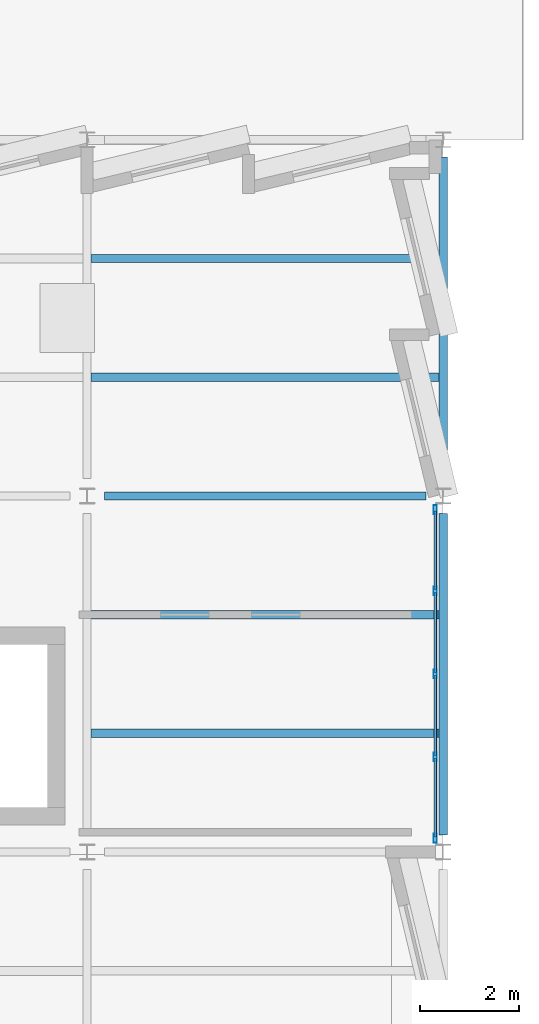
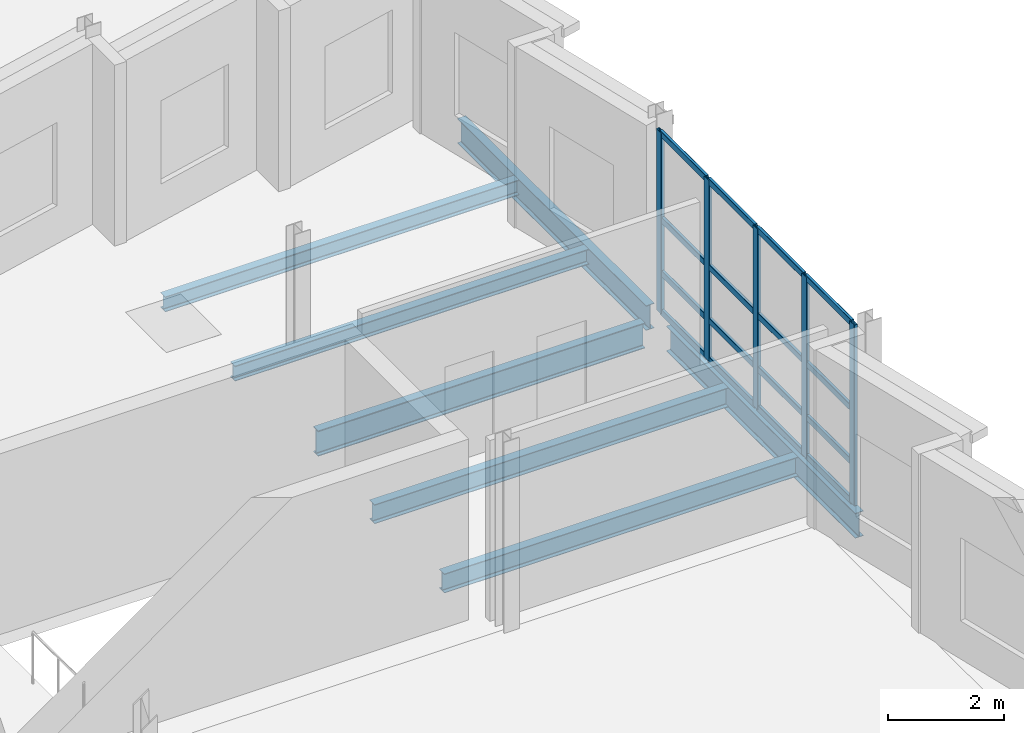
# One storey, part 9 of 18: 21 members, 7 beams, 1 element without a shape of its own.
"""IFC4 building model written with IfcOpenShell, lengths in metres."""

from ifc_helpers import new_model, si_unit, direction, frame, origin, origin_2d, place, context, subcontext, project, spatial, hollow_rectangle, i_section, extrude, material, material_profile, profile_set, type_object, element, aggregate, save


model = new_model("IFC4")

# Units and contexts
model_context = context("Model", 3, precision=1e-05, world=origin(), true_north=direction((0.0, 1.0)))
body_context = subcontext(model_context, "Body", "Model", "MODEL_VIEW")
ifc_project = project(units=[si_unit("LENGTHUNIT", "METRE"), si_unit("AREAUNIT", "SQUARE_METRE"), si_unit("VOLUMEUNIT", "CUBIC_METRE"), si_unit("PLANEANGLEUNIT", "RADIAN"), si_unit("MASSUNIT", "GRAM", prefix="KILO")], contexts=[model_context])

# Site, building, storey
site_placement = place(None, origin())
site = spatial("IfcSite", under=ifc_project, at=site_placement, CompositionType="ELEMENT")
building_placement = place(site_placement, origin())
building = spatial("IfcBuilding", under=site, at=building_placement, Name="Kalmorath City Hall", CompositionType="ELEMENT")
storey_placement = place(building_placement, frame((0.0, 0.0, 27.0)))
storey = spatial("IfcBuildingStorey", under=building, at=storey_placement, Name="L06", CompositionType="ELEMENT", Elevation=27.0)

# Curtain wall, members
ifc_material_1 = material(Name="Anodised aluminium and laminated glass", Category="aluminium")
curtain_wall_type = type_object("IfcCurtainWallType", Name="Unitised hurricane curtain wall 6712x3800 M1600", PredefinedType="NOTDEFINED", material=ifc_material_1)
curtain_wall_placement = place(storey_placement, origin())
curtain_wall = element("IfcCurtainWall", 1, at=curtain_wall_placement, inside=storey, type_object=curtain_wall_type, Name="L06 curtain wall CW-67X38M16 #175", PredefinedType="NOTDEFINED")
ifc_material_2 = material(Name="Anodised aluminium framing", Category="aluminium")
ifc_material_profile_1 = material_profile(ifc_material_2, hollow_rectangle(XDim=0.06494140625, YDim=0.179931640625, WallThickness=0.00390625, InnerFilletRadius=0.00390625, OuterFilletRadius=0.008056640625, at=origin_2d()), Name="ALU-MUL-180X65X4")
ifc_profile_set_1 = profile_set([ifc_material_profile_1], Name="Anodised aluminium framing")
member_type_1 = type_object("IfcMemberType", Name="Curtain-wall courtyard mullion 180x65", PredefinedType="MULLION", material=ifc_profile_set_1)
member_1_placement = place(storey_placement, frame((21.43994140625, 50.676513671875, 0.0), z_axis=(0.0, 0.0, 1.0), x_axis=(-1.0, 0.0, 0.0)))
member_1 = element("IfcMember", 2, at=member_1_placement, type_object=member_type_1, Name="CW-67X38M16 mullion 1", PredefinedType="MULLION", context=body_context, shape_type="SweptSolid", body=[
    extrude(hollow_rectangle(XDim=0.06494140625, YDim=0.179931640625, WallThickness=0.00390625, InnerFilletRadius=0.00390625, OuterFilletRadius=0.008056640625, at=origin_2d()), origin(), (0.0, 0.0, 1.0), 3.800048828125),
])
member_2_placement = place(storey_placement, frame((21.43994140625, 52.322021484375, 0.0), z_axis=(0.0, 0.0, 1.0), x_axis=(-1.0, 0.0, 0.0)))
member_2 = element("IfcMember", 3, at=member_2_placement, type_object=member_type_1, Name="CW-67X38M16 mullion 2", PredefinedType="MULLION", context=body_context, shape_type="SweptSolid", body=[
    extrude(hollow_rectangle(XDim=0.06494140625, YDim=0.179931640625, WallThickness=0.00390625, InnerFilletRadius=0.00390625, OuterFilletRadius=0.008056640625, at=origin_2d()), origin(), (0.0, 0.0, 1.0), 3.800048828125),
])
member_3_placement = place(storey_placement, frame((21.43994140625, 54.0, 0.0), z_axis=(0.0, 0.0, 1.0), x_axis=(-1.0, 0.0, 0.0)))
member_3 = element("IfcMember", 4, at=member_3_placement, type_object=member_type_1, Name="CW-67X38M16 mullion 3", PredefinedType="MULLION", context=body_context, shape_type="SweptSolid", body=[
    extrude(hollow_rectangle(XDim=0.06494140625, YDim=0.179931640625, WallThickness=0.00390625, InnerFilletRadius=0.00390625, OuterFilletRadius=0.008056640625, at=origin_2d()), origin(), (0.0, 0.0, 1.0), 3.800048828125),
])
member_4_placement = place(storey_placement, frame((21.43994140625, 55.677978515625, 0.0), z_axis=(0.0, 0.0, 1.0), x_axis=(-1.0, 0.0, 0.0)))
member_4 = element("IfcMember", 5, at=member_4_placement, type_object=member_type_1, Name="CW-67X38M16 mullion 4", PredefinedType="MULLION", context=body_context, shape_type="SweptSolid", body=[
    extrude(hollow_rectangle(XDim=0.06494140625, YDim=0.179931640625, WallThickness=0.00390625, InnerFilletRadius=0.00390625, OuterFilletRadius=0.008056640625, at=origin_2d()), origin(), (0.0, 0.0, 1.0), 3.800048828125),
])
member_5_placement = place(storey_placement, frame((21.43994140625, 57.323486328125, 0.0), z_axis=(0.0, 0.0, 1.0), x_axis=(-1.0, 0.0, 0.0)))
member_5 = element("IfcMember", 6, at=member_5_placement, type_object=member_type_1, Name="CW-67X38M16 mullion 5", PredefinedType="MULLION", context=body_context, shape_type="SweptSolid", body=[
    extrude(hollow_rectangle(XDim=0.06494140625, YDim=0.179931640625, WallThickness=0.00390625, InnerFilletRadius=0.00390625, OuterFilletRadius=0.008056640625, at=origin_2d()), origin(), (0.0, 0.0, 1.0), 3.800048828125),
])
ifc_material_3 = material(Name="Anodised aluminium framing", Category="aluminium")
ifc_material_profile_2 = material_profile(ifc_material_3, hollow_rectangle(XDim=0.06005859375, YDim=0.1298828125, WallThickness=0.00341796875, InnerFilletRadius=0.00341796875, OuterFilletRadius=0.007080078125, at=origin_2d()), Name="ALU-TRN-130X60X3.5")
ifc_profile_set_2 = profile_set([ifc_material_profile_2], Name="Anodised aluminium framing")
member_type_2 = type_object("IfcMemberType", Name="Curtain-wall courtyard transom 130x60", PredefinedType="USERDEFINED", material=ifc_profile_set_2)
member_6_placement = place(storey_placement, frame((21.43994140625, 50.708984375, 0.030029296875), z_axis=(0.0, 1.0, 0.0), x_axis=(-1.0, 0.0, 0.0)))
member_6 = element("IfcMember", 7, at=member_6_placement, type_object=member_type_2, Name="CW-67X38M16 transom 1.1", ObjectType="TRANSOM", PredefinedType="USERDEFINED", context=body_context, shape_type="SweptSolid", body=[
    extrude(hollow_rectangle(XDim=0.06005859375, YDim=0.1298828125, WallThickness=0.00341796875, InnerFilletRadius=0.00341796875, OuterFilletRadius=0.007080078125, at=origin_2d()), origin(), (0.0, 0.0, 1.0), 1.58056640625),
])
member_7_placement = place(storey_placement, frame((21.43994140625, 50.708984375, 0.85009765625), z_axis=(0.0, 1.0, 0.0), x_axis=(-1.0, 0.0, 0.0)))
member_7 = element("IfcMember", 8, at=member_7_placement, type_object=member_type_2, Name="CW-67X38M16 transom 1.2", ObjectType="TRANSOM", PredefinedType="USERDEFINED", context=body_context, shape_type="SweptSolid", body=[
    extrude(hollow_rectangle(XDim=0.06005859375, YDim=0.1298828125, WallThickness=0.00341796875, InnerFilletRadius=0.00341796875, OuterFilletRadius=0.007080078125, at=origin_2d()), origin(), (0.0, 0.0, 1.0), 1.58056640625),
])
member_8_placement = place(storey_placement, frame((21.43994140625, 50.708984375, 1.97607421875), z_axis=(0.0, 1.0, 0.0), x_axis=(-1.0, 0.0, 0.0)))
member_8 = element("IfcMember", 9, at=member_8_placement, type_object=member_type_2, Name="CW-67X38M16 transom 1.3", ObjectType="TRANSOM", PredefinedType="USERDEFINED", context=body_context, shape_type="SweptSolid", body=[
    extrude(hollow_rectangle(XDim=0.06005859375, YDim=0.1298828125, WallThickness=0.00341796875, InnerFilletRadius=0.00341796875, OuterFilletRadius=0.007080078125, at=origin_2d()), origin(), (0.0, 0.0, 1.0), 1.58056640625),
])
member_9_placement = place(storey_placement, frame((21.43994140625, 50.708984375, 3.77001953125), z_axis=(0.0, 1.0, 0.0), x_axis=(-1.0, 0.0, 0.0)))
member_9 = element("IfcMember", 10, at=member_9_placement, type_object=member_type_2, Name="CW-67X38M16 transom 1.4", ObjectType="TRANSOM", PredefinedType="USERDEFINED", context=body_context, shape_type="SweptSolid", body=[
    extrude(hollow_rectangle(XDim=0.06005859375, YDim=0.1298828125, WallThickness=0.00341796875, InnerFilletRadius=0.00341796875, OuterFilletRadius=0.007080078125, at=origin_2d()), origin(), (0.0, 0.0, 1.0), 1.58056640625),
])
member_10_placement = place(storey_placement, frame((21.43994140625, 52.3544921875, 0.030029296875), z_axis=(0.0, 1.0, 0.0), x_axis=(-1.0, 0.0, 0.0)))
member_10 = element("IfcMember", 11, at=member_10_placement, type_object=member_type_2, Name="CW-67X38M16 transom 2.1", ObjectType="TRANSOM", PredefinedType="USERDEFINED", context=body_context, shape_type="SweptSolid", body=[
    extrude(hollow_rectangle(XDim=0.06005859375, YDim=0.1298828125, WallThickness=0.00341796875, InnerFilletRadius=0.00341796875, OuterFilletRadius=0.007080078125, at=origin_2d()), origin(), (0.0, 0.0, 1.0), 1.613037109375),
])
member_11_placement = place(storey_placement, frame((21.43994140625, 52.3544921875, 0.85009765625), z_axis=(0.0, 1.0, 0.0), x_axis=(-1.0, 0.0, 0.0)))
member_11 = element("IfcMember", 12, at=member_11_placement, type_object=member_type_2, Name="CW-67X38M16 transom 2.2", ObjectType="TRANSOM", PredefinedType="USERDEFINED", context=body_context, shape_type="SweptSolid", body=[
    extrude(hollow_rectangle(XDim=0.06005859375, YDim=0.1298828125, WallThickness=0.00341796875, InnerFilletRadius=0.00341796875, OuterFilletRadius=0.007080078125, at=origin_2d()), origin(), (0.0, 0.0, 1.0), 1.613037109375),
])
member_12_placement = place(storey_placement, frame((21.43994140625, 52.3544921875, 1.97607421875), z_axis=(0.0, 1.0, 0.0), x_axis=(-1.0, 0.0, 0.0)))
member_12 = element("IfcMember", 13, at=member_12_placement, type_object=member_type_2, Name="CW-67X38M16 transom 2.3", ObjectType="TRANSOM", PredefinedType="USERDEFINED", context=body_context, shape_type="SweptSolid", body=[
    extrude(hollow_rectangle(XDim=0.06005859375, YDim=0.1298828125, WallThickness=0.00341796875, InnerFilletRadius=0.00341796875, OuterFilletRadius=0.007080078125, at=origin_2d()), origin(), (0.0, 0.0, 1.0), 1.613037109375),
])
member_13_placement = place(storey_placement, frame((21.43994140625, 52.3544921875, 3.77001953125), z_axis=(0.0, 1.0, 0.0), x_axis=(-1.0, 0.0, 0.0)))
member_13 = element("IfcMember", 14, at=member_13_placement, type_object=member_type_2, Name="CW-67X38M16 transom 2.4", ObjectType="TRANSOM", PredefinedType="USERDEFINED", context=body_context, shape_type="SweptSolid", body=[
    extrude(hollow_rectangle(XDim=0.06005859375, YDim=0.1298828125, WallThickness=0.00341796875, InnerFilletRadius=0.00341796875, OuterFilletRadius=0.007080078125, at=origin_2d()), origin(), (0.0, 0.0, 1.0), 1.613037109375),
])
member_14_placement = place(storey_placement, frame((21.43994140625, 54.032470703125, 0.030029296875), z_axis=(0.0, 1.0, 0.0), x_axis=(-1.0, 0.0, 0.0)))
member_14 = element("IfcMember", 15, at=member_14_placement, type_object=member_type_2, Name="CW-67X38M16 transom 3.1", ObjectType="TRANSOM", PredefinedType="USERDEFINED", context=body_context, shape_type="SweptSolid", body=[
    extrude(hollow_rectangle(XDim=0.06005859375, YDim=0.1298828125, WallThickness=0.00341796875, InnerFilletRadius=0.00341796875, OuterFilletRadius=0.007080078125, at=origin_2d()), origin(), (0.0, 0.0, 1.0), 1.613037109375),
])
member_15_placement = place(storey_placement, frame((21.43994140625, 54.032470703125, 0.85009765625), z_axis=(0.0, 1.0, 0.0), x_axis=(-1.0, 0.0, 0.0)))
member_15 = element("IfcMember", 16, at=member_15_placement, type_object=member_type_2, Name="CW-67X38M16 transom 3.2", ObjectType="TRANSOM", PredefinedType="USERDEFINED", context=body_context, shape_type="SweptSolid", body=[
    extrude(hollow_rectangle(XDim=0.06005859375, YDim=0.1298828125, WallThickness=0.00341796875, InnerFilletRadius=0.00341796875, OuterFilletRadius=0.007080078125, at=origin_2d()), origin(), (0.0, 0.0, 1.0), 1.613037109375),
])
member_16_placement = place(storey_placement, frame((21.43994140625, 54.032470703125, 1.97607421875), z_axis=(0.0, 1.0, 0.0), x_axis=(-1.0, 0.0, 0.0)))
member_16 = element("IfcMember", 17, at=member_16_placement, type_object=member_type_2, Name="CW-67X38M16 transom 3.3", ObjectType="TRANSOM", PredefinedType="USERDEFINED", context=body_context, shape_type="SweptSolid", body=[
    extrude(hollow_rectangle(XDim=0.06005859375, YDim=0.1298828125, WallThickness=0.00341796875, InnerFilletRadius=0.00341796875, OuterFilletRadius=0.007080078125, at=origin_2d()), origin(), (0.0, 0.0, 1.0), 1.613037109375),
])
member_17_placement = place(storey_placement, frame((21.43994140625, 54.032470703125, 3.77001953125), z_axis=(0.0, 1.0, 0.0), x_axis=(-1.0, 0.0, 0.0)))
member_17 = element("IfcMember", 18, at=member_17_placement, type_object=member_type_2, Name="CW-67X38M16 transom 3.4", ObjectType="TRANSOM", PredefinedType="USERDEFINED", context=body_context, shape_type="SweptSolid", body=[
    extrude(hollow_rectangle(XDim=0.06005859375, YDim=0.1298828125, WallThickness=0.00341796875, InnerFilletRadius=0.00341796875, OuterFilletRadius=0.007080078125, at=origin_2d()), origin(), (0.0, 0.0, 1.0), 1.613037109375),
])
member_18_placement = place(storey_placement, frame((21.43994140625, 55.71044921875, 0.030029296875), z_axis=(0.0, 1.0, 0.0), x_axis=(-1.0, 0.0, 0.0)))
member_18 = element("IfcMember", 19, at=member_18_placement, type_object=member_type_2, Name="CW-67X38M16 transom 4.1", ObjectType="TRANSOM", PredefinedType="USERDEFINED", context=body_context, shape_type="SweptSolid", body=[
    extrude(hollow_rectangle(XDim=0.06005859375, YDim=0.1298828125, WallThickness=0.00341796875, InnerFilletRadius=0.00341796875, OuterFilletRadius=0.007080078125, at=origin_2d()), origin(), (0.0, 0.0, 1.0), 1.58056640625),
])
member_19_placement = place(storey_placement, frame((21.43994140625, 55.71044921875, 0.85009765625), z_axis=(0.0, 1.0, 0.0), x_axis=(-1.0, 0.0, 0.0)))
member_19 = element("IfcMember", 20, at=member_19_placement, type_object=member_type_2, Name="CW-67X38M16 transom 4.2", ObjectType="TRANSOM", PredefinedType="USERDEFINED", context=body_context, shape_type="SweptSolid", body=[
    extrude(hollow_rectangle(XDim=0.06005859375, YDim=0.1298828125, WallThickness=0.00341796875, InnerFilletRadius=0.00341796875, OuterFilletRadius=0.007080078125, at=origin_2d()), origin(), (0.0, 0.0, 1.0), 1.58056640625),
])
member_20_placement = place(storey_placement, frame((21.43994140625, 55.71044921875, 1.97607421875), z_axis=(0.0, 1.0, 0.0), x_axis=(-1.0, 0.0, 0.0)))
member_20 = element("IfcMember", 21, at=member_20_placement, type_object=member_type_2, Name="CW-67X38M16 transom 4.3", ObjectType="TRANSOM", PredefinedType="USERDEFINED", context=body_context, shape_type="SweptSolid", body=[
    extrude(hollow_rectangle(XDim=0.06005859375, YDim=0.1298828125, WallThickness=0.00341796875, InnerFilletRadius=0.00341796875, OuterFilletRadius=0.007080078125, at=origin_2d()), origin(), (0.0, 0.0, 1.0), 1.58056640625),
])
member_21_placement = place(storey_placement, frame((21.43994140625, 55.71044921875, 3.77001953125), z_axis=(0.0, 1.0, 0.0), x_axis=(-1.0, 0.0, 0.0)))
member_21 = element("IfcMember", 22, at=member_21_placement, type_object=member_type_2, Name="CW-67X38M16 transom 4.4", ObjectType="TRANSOM", PredefinedType="USERDEFINED", context=body_context, shape_type="SweptSolid", body=[
    extrude(hollow_rectangle(XDim=0.06005859375, YDim=0.1298828125, WallThickness=0.00341796875, InnerFilletRadius=0.00341796875, OuterFilletRadius=0.007080078125, at=origin_2d()), origin(), (0.0, 0.0, 1.0), 1.58056640625),
])
aggregate(curtain_wall, [member_1, member_2, member_3, member_4, member_5, member_6, member_7, member_8, member_9, member_10, member_11, member_12, member_13, member_14, member_15, member_16, member_17, member_18, member_19, member_20, member_21])

# Beams
ifc_material_4 = material(Name="Steel ASTM A992 Grade 50", Category="steel")
ifc_material_profile_3 = material_profile(ifc_material_4, i_section(OverallWidth=0.177001953125, OverallDepth=0.403076171875, WebThickness=0.007568359375, FlangeThickness=0.010986328125, FilletRadius=0.012939453125, at=origin_2d()), Name="W16X36")
ifc_profile_set_3 = profile_set([ifc_material_profile_3], Name="Steel ASTM A992 Grade 50")
beam_type_1 = type_object("IfcBeamType", Name="Steel composite joist W16X36", PredefinedType="JOIST", material=ifc_profile_set_3)
for number, where, z_axis, x_axis, name in (
    (23, (14.4833984375, 52.800048828125, -0.49560546875), (1.0, 0.0, 0.0), (0.0, 1.0, 0.0), "L06 joist SJ7 3.8.1"),
    (24, (14.4833984375, 55.199951171875, -0.49560546875), (1.0, 0.0, 0.0), (0.0, 1.0, 0.0), "L06 joist SJ7 3.8.2"),
):
    element("IfcBeam", number, at=place(storey_placement, frame(where, z_axis=z_axis, x_axis=x_axis)), inside=storey, type_object=beam_type_1, Name=name, PredefinedType="JOIST", context=body_context, shape_type="SweptSolid", body=[
        extrude(i_section(OverallWidth=0.177001953125, OverallDepth=0.403076171875, WebThickness=0.007568359375, FlangeThickness=0.010986328125, FilletRadius=0.012939453125, at=origin_2d()), origin(), (0.0, 0.0, 1.0), 7.0341796875),
    ])
ifc_material_5 = material(Name="Steel ASTM A992 Grade 50", Category="steel")
ifc_material_profile_4 = material_profile(ifc_material_5, i_section(OverallWidth=0.1669921875, OverallDepth=0.534912109375, WebThickness=0.01025390625, FlangeThickness=0.0166015625, FilletRadius=0.014892578125, at=origin_2d()), Name="W21X57")
ifc_profile_set_4 = profile_set([ifc_material_profile_4], Name="Steel ASTM A992 Grade 50")
beam_type_2 = type_object("IfcBeamType", Name="Steel floor beam W21X57", PredefinedType="BEAM", material=ifc_profile_set_4)
beam_placement = place(storey_placement, frame((14.75, 57.60009765625, -0.5615234375), z_axis=(1.0, 0.0, 0.0), x_axis=(0.0, 1.0, 0.0)))
element("IfcBeam", 25, at=beam_placement, inside=storey, type_object=beam_type_2, Name="L06 girder SB3 X3-4/9", PredefinedType="BEAM", context=body_context, shape_type="SweptSolid", body=[
    extrude(i_section(OverallWidth=0.1669921875, OverallDepth=0.534912109375, WebThickness=0.01025390625, FlangeThickness=0.0166015625, FilletRadius=0.014892578125, at=origin_2d()), origin(), (0.0, 0.0, 1.0), 6.5),
])
ifc_material_6 = material(Name="Steel ASTM A992 Grade 50", Category="steel")
ifc_material_profile_5 = material_profile(ifc_material_6, i_section(OverallWidth=0.1669921875, OverallDepth=0.318115234375, WebThickness=0.007568359375, FlangeThickness=0.01318359375, FilletRadius=0.012939453125, at=origin_2d()), Name="W12X35")
ifc_profile_set_5 = profile_set([ifc_material_profile_5], Name="Steel ASTM A992 Grade 50")
beam_type_3 = type_object("IfcBeamType", Name="Steel header lintel W12X35", PredefinedType="LINTEL", material=ifc_profile_set_5)
for number, where, z_axis, x_axis, name in (
    (26, (14.4833984375, 60.0, -0.452880859375), (1.0, 0.0, 0.0), (0.0, 1.0, 0.0), "L06 joist SJ13 3.9.1"),
    (27, (14.4833984375, 62.39990234375, -0.452880859375), (1.0, 0.0, 0.0), (0.0, 1.0, 0.0), "L06 joist SJ13 3.9.2"),
):
    element("IfcBeam", number, at=place(storey_placement, frame(where, z_axis=z_axis, x_axis=x_axis)), inside=storey, type_object=beam_type_3, Name=name, PredefinedType="LINTEL", context=body_context, shape_type="SweptSolid", body=[
        extrude(i_section(OverallWidth=0.1669921875, OverallDepth=0.318115234375, WebThickness=0.007568359375, FlangeThickness=0.01318359375, FilletRadius=0.012939453125, at=origin_2d()), origin(), (0.0, 0.0, 1.0), 7.0341796875),
    ])
ifc_material_7 = material(Name="Steel ASTM A992 Grade 50", Category="steel")
ifc_material_profile_6 = material_profile(ifc_material_7, i_section(OverallWidth=0.1650390625, OverallDepth=0.52490234375, WebThickness=0.0087890625, FlangeThickness=0.011474609375, FilletRadius=0.014892578125, at=origin_2d()), Name="W21X44")
ifc_profile_set_6 = profile_set([ifc_material_profile_6], Name="Steel ASTM A992 Grade 50")
beam_type_4 = type_object("IfcBeamType", Name="Steel spandrel beam W21X44", PredefinedType="SPANDREL", material=ifc_profile_set_6)
for number, where, z_axis, x_axis, name in (
    (28, (21.60009765625, 50.75, -0.556396484375), (0.0, 1.0, 0.0), (-1.0, 0.0, 0.0), "L06 girder SB4 Y4/8-9"),
    (29, (21.60009765625, 57.949951171875, -0.556396484375), (0.0, 1.0, 0.0), (-1.0, 0.0, 0.0), "L06 girder SB4 Y4/9-10"),
):
    element("IfcBeam", number, at=place(storey_placement, frame(where, z_axis=z_axis, x_axis=x_axis)), inside=storey, type_object=beam_type_4, Name=name, PredefinedType="SPANDREL", context=body_context, shape_type="SweptSolid", body=[
        extrude(i_section(OverallWidth=0.1650390625, OverallDepth=0.52490234375, WebThickness=0.0087890625, FlangeThickness=0.011474609375, FilletRadius=0.014892578125, at=origin_2d()), origin(), (0.0, 0.0, 1.0), 6.5),
    ])

save(model, "model.ifc")
